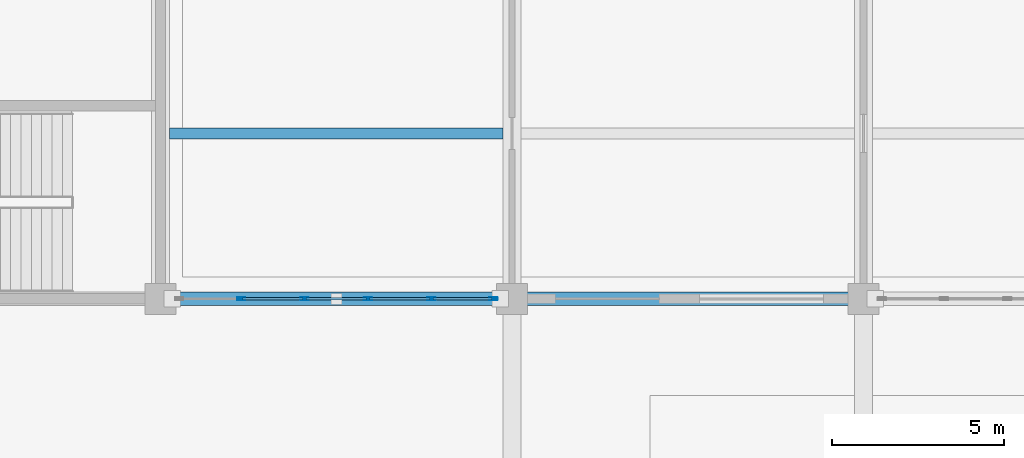
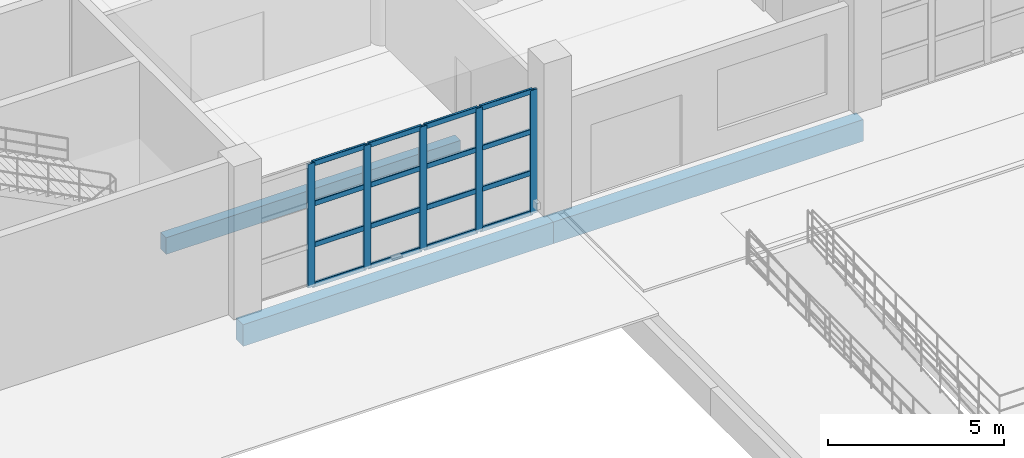
# One storey, part 34 of 124: 21 members, 3 beams, 1 element without a shape of its own.
"""IFC4 building model written with IfcOpenShell, lengths in metres."""

import ifcopenshell
import ifcopenshell.guid

model = None  # the IFC model being written
_history = None  # IfcOwnerHistory: only IFC2X3 demands one
_inside = {}  # id of a spatial element -> (the spatial element, [elements in it])
_under = {}  # id of a project, library or spatial element -> (it, [spatial elements below it])
_declared = {}  # id of a project -> (the project, [libraries it declares])
_typed = {}  # id of a type object -> (the type object, [elements of that type])
_made_of = {}  # id of a material, layer set ... -> (it, [elements and type objects made of it])


def new_model(schema):
    """Start an empty IFC model of exactly this schema.

    Asked for "IFC4X3", IfcOpenShell would pick the latest addendum, in which some entities
    have other attributes; the version numbers below select the first issue.
    IFC2X3 requires an IfcOwnerHistory on every rooted entity: one is made here for all.
    """
    global model, _history
    if schema == "IFC4X3":
        model = ifcopenshell.file(schema_version=(4, 3, 0, 0))
    else:
        model = ifcopenshell.file(schema=schema)
    _inside.clear()
    _under.clear()
    _declared.clear()
    _typed.clear()
    _made_of.clear()
    _history = None
    if model.schema == "IFC2X3":
        org = make("IfcOrganization", Name="unknown")
        user = make(
            "IfcPersonAndOrganization",
            ThePerson=make("IfcPerson", FamilyName="unknown"),
            TheOrganization=org,
        )
        app = make(
            "IfcApplication",
            ApplicationDeveloper=org,
            Version="unknown",
            ApplicationFullName="unknown",
            ApplicationIdentifier="unknown",
        )
        _history = make(
            "IfcOwnerHistory",
            OwningUser=user,
            OwningApplication=app,
            ChangeAction="ADDED",
            CreationDate=0,
        )
    return model


def make(cls, **values):
    """One entity of the class cls with the attributes given. An attribute that is None is left unset."""
    return model.create_entity(
        cls, **{name: value for name, value in values.items() if value is not None}
    )


def rooted(cls, **values):
    """An entity with a GlobalId (a new one), such as an element, a storey or a relation."""
    return make(cls, GlobalId=ifcopenshell.guid.new(), OwnerHistory=_history, **values)


def si_unit(unit_type, name, prefix=None):
    """IfcSIUnit, for example si_unit("LENGTHUNIT", "METRE", prefix="MILLI")."""
    return make("IfcSIUnit", UnitType=unit_type, Prefix=prefix, Name=name)


def assignment(units):
    """IfcUnitAssignment: the units of a project."""
    return None if units is None else make("IfcUnitAssignment", Units=units)


def point(xyz):
    """IfcCartesianPoint."""
    return None if xyz is None else make("IfcCartesianPoint", Coordinates=xyz)


def direction(xyz):
    """IfcDirection."""
    return None if xyz is None else make("IfcDirection", DirectionRatios=xyz)


def frame(location, z_axis=None, x_axis=None):
    """IfcAxis2Placement3D, a coordinate frame: its origin and axes. An axis left out is left unset."""
    return make(
        "IfcAxis2Placement3D",
        Location=point(location),
        Axis=direction(z_axis),
        RefDirection=direction(x_axis),
    )


def frame_2d(location, x_axis=None):
    """IfcAxis2Placement2D, a coordinate frame in the plane: its origin and x axis."""
    return make(
        "IfcAxis2Placement2D", Location=point(location), RefDirection=direction(x_axis)
    )


def origin():
    """The frame at (0, 0, 0) with its axes left unset."""
    return frame((0.0, 0.0, 0.0))


def origin_2d():
    """The frame at (0, 0) in the plane with its x axis left unset."""
    return frame_2d((0.0, 0.0))


def place(relative_to, where):
    """IfcLocalPlacement: puts the frame where relative to a parent placement (None: the world)."""
    return make(
        "IfcLocalPlacement", PlacementRelTo=relative_to, RelativePlacement=where
    )


def context(
    kind, dimensions, precision=None, world=None, true_north=None, identifier=None
):
    """IfcGeometricRepresentationContext, for example the 3D "Model" context."""
    return make(
        "IfcGeometricRepresentationContext",
        ContextIdentifier=identifier,
        ContextType=kind,
        CoordinateSpaceDimension=dimensions,
        Precision=precision,
        WorldCoordinateSystem=world,
        TrueNorth=true_north,
    )


def subcontext(parent, identifier, kind, view, scale=None):
    """IfcGeometricRepresentationSubContext, for example "Body" below "Model"."""
    return make(
        "IfcGeometricRepresentationSubContext",
        ContextIdentifier=identifier,
        ContextType=kind,
        ParentContext=parent,
        TargetScale=scale,
        TargetView=view,
    )


def project(units=None, contexts=None):
    """IfcProject with its units and contexts."""
    return rooted(
        "IfcProject",
        Name="project",
        RepresentationContexts=contexts,
        UnitsInContext=assignment(units),
    )


def spatial(cls, under=None, at=None, **own):
    """A site, building, storey or space (cls), placed at a placement, below another one or the project."""
    s = rooted(cls, ObjectPlacement=at, **own)
    if under is not None:
        _under.setdefault(under.id(), (under, []))[1].append(s)
    return s


def profile(cls, at=None, kind="AREA", **sizes):
    """A parametric profile (cls). Its sizes go by their IFC names, for example OverallWidth=200.0."""
    return make(cls, ProfileType=kind, Position=at, **sizes)


def rectangle(**sizes):
    """IfcRectangleProfileDef."""
    return profile("IfcRectangleProfileDef", **sizes)


def hollow_rectangle(**sizes):
    """IfcRectangleHollowProfileDef."""
    return profile("IfcRectangleHollowProfileDef", **sizes)


def extrude(swept, where, along, depth):
    """IfcExtrudedAreaSolid: the profile swept, set in the frame where, extruded along a direction by depth."""
    return make(
        "IfcExtrudedAreaSolid",
        SweptArea=swept,
        Position=where,
        ExtrudedDirection=direction(along),
        Depth=depth,
    )


def shape(context_of_items, identifier, shape_type, items):
    """IfcShapeRepresentation: the items that make up one representation, for example the "Body"."""
    return make(
        "IfcShapeRepresentation",
        ContextOfItems=context_of_items,
        RepresentationIdentifier=identifier,
        RepresentationType=shape_type,
        Items=items,
    )


def material(Name=None, Category=None):
    """IfcMaterial."""
    return make("IfcMaterial", Name=Name, Category=Category)


def material_profile(
    of_material, cross_section, Name=None, Category=None, Priority=None
):
    """IfcMaterialProfile: a cross section and its material."""
    return make(
        "IfcMaterialProfile",
        Name=Name,
        Material=of_material,
        Profile=cross_section,
        Priority=Priority,
        Category=Category,
    )


def profile_set(profiles, Name=None, composite=None):
    """IfcMaterialProfileSet."""
    return make(
        "IfcMaterialProfileSet",
        Name=Name,
        MaterialProfiles=profiles,
        CompositeProfile=composite,
    )


def made_of(thing, what):
    """Note that an element or type object is made of a material, layer set ...; save() writes the relation."""
    if what is not None:
        _made_of.setdefault(what.id(), (what, []))[1].append(thing)
    return thing


def type_object(cls, material=None, **own):
    """A type object (cls), such as IfcWallType, which elements share."""
    return made_of(rooted(cls, **own), material)


def element(
    cls,
    number,
    at=None,
    inside=None,
    cuts=None,
    type_object=None,
    material=None,
    context=None,
    identifier="Body",
    shape_type=None,
    held_by="IfcProductDefinitionShape",
    body=None,
    shapes=None,
    **own,
):
    """One element of the class cls, such as IfcWall. Its Tag is "e" and its number.

    at: its placement. inside: the storey or other place that contains it. cuts: it is an
    opening in that element (IfcRelVoidsElement). A single representation is given by context,
    identifier, shape_type and body (its items); several are given by shapes. held_by: the class
    of the entity that holds the representations. save() writes the other relations.
    """
    e = rooted(cls, Tag="e%d" % number, ObjectPlacement=at, **own)
    if body is not None:
        shapes = [shape(context, identifier, shape_type, body)]
    if shapes is not None:
        e.Representation = make(held_by, Representations=shapes)
    if inside is not None:
        _inside.setdefault(inside.id(), (inside, []))[1].append(e)
    if cuts is not None:
        rooted(
            "IfcRelVoidsElement", RelatingBuildingElement=cuts, RelatedOpeningElement=e
        )
    if type_object is not None:
        _typed.setdefault(type_object.id(), (type_object, []))[1].append(e)
    return made_of(e, material)


def aggregate(whole, parts):
    """IfcRelAggregates: a whole, such as a stair, and the parts it consists of."""
    return rooted("IfcRelAggregates", RelatingObject=whole, RelatedObjects=parts)


def save(model, path):
    """Write the relations noted so far, then the file.

    IfcRelAggregates (storeys below a building ...), IfcRelContainedInSpatialStructure (elements
    in a storey), IfcRelDefinesByType, IfcRelAssociatesMaterial and IfcRelDeclares: one each for
    every whole, place, type object, material and project.
    """
    for whole, parts in _under.values():
        aggregate(whole, parts)
    for where, things in _inside.values():
        rooted(
            "IfcRelContainedInSpatialStructure",
            RelatedElements=things,
            RelatingStructure=where,
        )
    for kind, things in _typed.values():
        rooted("IfcRelDefinesByType", RelatedObjects=things, RelatingType=kind)
    for what, things in _made_of.values():
        rooted("IfcRelAssociatesMaterial", RelatedObjects=things, RelatingMaterial=what)
    for by, libraries in _declared.values():
        rooted("IfcRelDeclares", RelatingContext=by, RelatedDefinitions=libraries)
    model.write(path)


model = new_model("IFC4")

# Units and contexts
model_context = context("Model", 3, precision=1e-05, world=origin(), true_north=direction((0.0, 1.0)))
body_context = subcontext(model_context, "Body", "Model", "MODEL_VIEW")
ifc_project = project(units=[si_unit("LENGTHUNIT", "METRE"), si_unit("AREAUNIT", "SQUARE_METRE"), si_unit("VOLUMEUNIT", "CUBIC_METRE"), si_unit("PLANEANGLEUNIT", "RADIAN"), si_unit("MASSUNIT", "GRAM", prefix="KILO")], contexts=[model_context])

# Site, building, storey
site_placement = place(None, origin())
site = spatial("IfcSite", under=ifc_project, at=site_placement, CompositionType="ELEMENT")
building_placement = place(site_placement, origin())
building = spatial("IfcBuilding", under=site, at=building_placement, Name="Brelvane Convention Centre", CompositionType="ELEMENT")
storey_placement = place(building_placement, origin())
storey = spatial("IfcBuildingStorey", under=building, at=storey_placement, Name="L00", CompositionType="ELEMENT", Elevation=0.0)

# Curtain wall, members
ifc_material_1 = material(Name="Anodised Aluminium Alloy 6063-T6", Category="aluminium")
curtain_wall_type = type_object("IfcCurtainWallType", Name="Curtain Wall CW-CONC", PredefinedType="USERDEFINED", material=ifc_material_1)
curtain_wall_placement = place(storey_placement, origin())
curtain_wall = element("IfcCurtainWall", 1, at=curtain_wall_placement, inside=storey, type_object=curtain_wall_type, Name="Curtain Wall CW-CONC L00-V1S-10", ObjectType="UNITISED", PredefinedType="USERDEFINED")
ifc_material_2 = material(Name="Anodised Aluminium Alloy 6063-T6", Category="aluminium")
ifc_material_profile_1 = material_profile(ifc_material_2, hollow_rectangle(XDim=0.080078125, YDim=0.239990234375, WallThickness=0.006103515625, InnerFilletRadius=0.006103515625, OuterFilletRadius=0.011962890625, at=origin_2d()), Name="ALU-M 240x80x6.0")
ifc_profile_set_1 = profile_set([ifc_material_profile_1], Name="Anodised Aluminium Alloy 6063-T6")
member_type_1 = type_object("IfcMemberType", Name="Curtain Mullion CW-M1", PredefinedType="MULLION", material=ifc_profile_set_1)
member_1_placement = place(storey_placement, frame((94.139892578125, 19.199951171875, 0.0), z_axis=(0.0, 0.0, 1.0), x_axis=(0.0, 1.0, 0.0)))
member_1 = element("IfcMember", 2, at=member_1_placement, type_object=member_type_1, Name="CW-CONC mullion 2", PredefinedType="MULLION", context=body_context, shape_type="SweptSolid", body=[
    extrude(hollow_rectangle(XDim=0.080078125, YDim=0.239990234375, WallThickness=0.006103515625, InnerFilletRadius=0.006103515625, OuterFilletRadius=0.011962890625, at=origin_2d()), origin(), (0.0, 0.0, 1.0), 4.300048828125),
])
member_2_placement = place(storey_placement, frame((95.97998046875, 19.199951171875, 0.0), z_axis=(0.0, 0.0, 1.0), x_axis=(0.0, 1.0, 0.0)))
member_2 = element("IfcMember", 3, at=member_2_placement, type_object=member_type_1, Name="CW-CONC mullion 3", PredefinedType="MULLION", context=body_context, shape_type="SweptSolid", body=[
    extrude(hollow_rectangle(XDim=0.080078125, YDim=0.239990234375, WallThickness=0.006103515625, InnerFilletRadius=0.006103515625, OuterFilletRadius=0.011962890625, at=origin_2d()), origin(), (0.0, 0.0, 1.0), 4.300048828125),
])
member_3_placement = place(storey_placement, frame((97.820068359375, 19.199951171875, 0.0), z_axis=(0.0, 0.0, 1.0), x_axis=(0.0, 1.0, 0.0)))
member_3 = element("IfcMember", 4, at=member_3_placement, type_object=member_type_1, Name="CW-CONC mullion 4", PredefinedType="MULLION", context=body_context, shape_type="SweptSolid", body=[
    extrude(hollow_rectangle(XDim=0.080078125, YDim=0.239990234375, WallThickness=0.006103515625, InnerFilletRadius=0.006103515625, OuterFilletRadius=0.011962890625, at=origin_2d()), origin(), (0.0, 0.0, 1.0), 4.300048828125),
])
member_4_placement = place(storey_placement, frame((99.659912109375, 19.199951171875, 0.0), z_axis=(0.0, 0.0, 1.0), x_axis=(0.0, 1.0, 0.0)))
member_4 = element("IfcMember", 5, at=member_4_placement, type_object=member_type_1, Name="CW-CONC mullion 5", PredefinedType="MULLION", context=body_context, shape_type="SweptSolid", body=[
    extrude(hollow_rectangle(XDim=0.080078125, YDim=0.239990234375, WallThickness=0.006103515625, InnerFilletRadius=0.006103515625, OuterFilletRadius=0.011962890625, at=origin_2d()), origin(), (0.0, 0.0, 1.0), 4.300048828125),
])
member_5_placement = place(storey_placement, frame((101.4599609375, 19.199951171875, 0.0), z_axis=(0.0, 0.0, 1.0), x_axis=(0.0, 1.0, 0.0)))
member_5 = element("IfcMember", 6, at=member_5_placement, type_object=member_type_1, Name="CW-CONC mullion 6", PredefinedType="MULLION", context=body_context, shape_type="SweptSolid", body=[
    extrude(hollow_rectangle(XDim=0.080078125, YDim=0.239990234375, WallThickness=0.006103515625, InnerFilletRadius=0.006103515625, OuterFilletRadius=0.011962890625, at=origin_2d()), origin(), (0.0, 0.0, 1.0), 4.300048828125),
])
ifc_material_3 = material(Name="Anodised Aluminium Alloy 6063-T6", Category="aluminium")
ifc_material_profile_2 = material_profile(ifc_material_3, hollow_rectangle(XDim=0.080078125, YDim=0.179931640625, WallThickness=0.0048828125, InnerFilletRadius=0.0048828125, OuterFilletRadius=0.010009765625, at=origin_2d()), Name="ALU-T 180x80x5.0")
ifc_profile_set_2 = profile_set([ifc_material_profile_2], Name="Anodised Aluminium Alloy 6063-T6")
member_type_2 = type_object("IfcMemberType", Name="Curtain Transom CW-T1", PredefinedType="USERDEFINED", material=ifc_profile_set_2)
member_6_placement = place(storey_placement, frame((94.179931640625, 19.199951171875, 0.0400390625), z_axis=(1.0, 0.0, 0.0), x_axis=(0.0, 1.0, 0.0)))
member_6 = element("IfcMember", 7, at=member_6_placement, type_object=member_type_2, Name="CW-CONC transom 2.1", ObjectType="TRANSOM", PredefinedType="USERDEFINED", context=body_context, shape_type="SweptSolid", body=[
    extrude(hollow_rectangle(XDim=0.080078125, YDim=0.179931640625, WallThickness=0.0048828125, InnerFilletRadius=0.0048828125, OuterFilletRadius=0.010009765625, at=origin_2d()), origin(), (0.0, 0.0, 1.0), 1.760009765625),
])
member_7_placement = place(storey_placement, frame((94.179931640625, 19.199951171875, 1.433349609375), z_axis=(1.0, 0.0, 0.0), x_axis=(0.0, 1.0, 0.0)))
member_7 = element("IfcMember", 8, at=member_7_placement, type_object=member_type_2, Name="CW-CONC transom 2.2", ObjectType="TRANSOM", PredefinedType="USERDEFINED", context=body_context, shape_type="SweptSolid", body=[
    extrude(hollow_rectangle(XDim=0.080078125, YDim=0.179931640625, WallThickness=0.0048828125, InnerFilletRadius=0.0048828125, OuterFilletRadius=0.010009765625, at=origin_2d()), origin(), (0.0, 0.0, 1.0), 1.760009765625),
])
member_8_placement = place(storey_placement, frame((94.179931640625, 19.199951171875, 2.86669921875), z_axis=(1.0, 0.0, 0.0), x_axis=(0.0, 1.0, 0.0)))
member_8 = element("IfcMember", 9, at=member_8_placement, type_object=member_type_2, Name="CW-CONC transom 2.3", ObjectType="TRANSOM", PredefinedType="USERDEFINED", context=body_context, shape_type="SweptSolid", body=[
    extrude(hollow_rectangle(XDim=0.080078125, YDim=0.179931640625, WallThickness=0.0048828125, InnerFilletRadius=0.0048828125, OuterFilletRadius=0.010009765625, at=origin_2d()), origin(), (0.0, 0.0, 1.0), 1.760009765625),
])
member_9_placement = place(storey_placement, frame((94.179931640625, 19.199951171875, 4.260009765625), z_axis=(1.0, 0.0, 0.0), x_axis=(0.0, 1.0, 0.0)))
member_9 = element("IfcMember", 10, at=member_9_placement, type_object=member_type_2, Name="CW-CONC transom 2.4", ObjectType="TRANSOM", PredefinedType="USERDEFINED", context=body_context, shape_type="SweptSolid", body=[
    extrude(hollow_rectangle(XDim=0.080078125, YDim=0.179931640625, WallThickness=0.0048828125, InnerFilletRadius=0.0048828125, OuterFilletRadius=0.010009765625, at=origin_2d()), origin(), (0.0, 0.0, 1.0), 1.760009765625),
])
member_10_placement = place(storey_placement, frame((96.02001953125, 19.199951171875, 0.0400390625), z_axis=(1.0, 0.0, 0.0), x_axis=(0.0, 1.0, 0.0)))
member_10 = element("IfcMember", 11, at=member_10_placement, type_object=member_type_2, Name="CW-CONC transom 3.1", ObjectType="TRANSOM", PredefinedType="USERDEFINED", context=body_context, shape_type="SweptSolid", body=[
    extrude(hollow_rectangle(XDim=0.080078125, YDim=0.179931640625, WallThickness=0.0048828125, InnerFilletRadius=0.0048828125, OuterFilletRadius=0.010009765625, at=origin_2d()), origin(), (0.0, 0.0, 1.0), 1.760009765625),
])
member_11_placement = place(storey_placement, frame((96.02001953125, 19.199951171875, 1.433349609375), z_axis=(1.0, 0.0, 0.0), x_axis=(0.0, 1.0, 0.0)))
member_11 = element("IfcMember", 12, at=member_11_placement, type_object=member_type_2, Name="CW-CONC transom 3.2", ObjectType="TRANSOM", PredefinedType="USERDEFINED", context=body_context, shape_type="SweptSolid", body=[
    extrude(hollow_rectangle(XDim=0.080078125, YDim=0.179931640625, WallThickness=0.0048828125, InnerFilletRadius=0.0048828125, OuterFilletRadius=0.010009765625, at=origin_2d()), origin(), (0.0, 0.0, 1.0), 1.760009765625),
])
member_12_placement = place(storey_placement, frame((96.02001953125, 19.199951171875, 2.86669921875), z_axis=(1.0, 0.0, 0.0), x_axis=(0.0, 1.0, 0.0)))
member_12 = element("IfcMember", 13, at=member_12_placement, type_object=member_type_2, Name="CW-CONC transom 3.3", ObjectType="TRANSOM", PredefinedType="USERDEFINED", context=body_context, shape_type="SweptSolid", body=[
    extrude(hollow_rectangle(XDim=0.080078125, YDim=0.179931640625, WallThickness=0.0048828125, InnerFilletRadius=0.0048828125, OuterFilletRadius=0.010009765625, at=origin_2d()), origin(), (0.0, 0.0, 1.0), 1.760009765625),
])
member_13_placement = place(storey_placement, frame((96.02001953125, 19.199951171875, 4.260009765625), z_axis=(1.0, 0.0, 0.0), x_axis=(0.0, 1.0, 0.0)))
member_13 = element("IfcMember", 14, at=member_13_placement, type_object=member_type_2, Name="CW-CONC transom 3.4", ObjectType="TRANSOM", PredefinedType="USERDEFINED", context=body_context, shape_type="SweptSolid", body=[
    extrude(hollow_rectangle(XDim=0.080078125, YDim=0.179931640625, WallThickness=0.0048828125, InnerFilletRadius=0.0048828125, OuterFilletRadius=0.010009765625, at=origin_2d()), origin(), (0.0, 0.0, 1.0), 1.760009765625),
])
member_14_placement = place(storey_placement, frame((97.860107421875, 19.199951171875, 0.0400390625), z_axis=(1.0, 0.0, 0.0), x_axis=(0.0, 1.0, 0.0)))
member_14 = element("IfcMember", 15, at=member_14_placement, type_object=member_type_2, Name="CW-CONC transom 4.1", ObjectType="TRANSOM", PredefinedType="USERDEFINED", context=body_context, shape_type="SweptSolid", body=[
    extrude(hollow_rectangle(XDim=0.080078125, YDim=0.179931640625, WallThickness=0.0048828125, InnerFilletRadius=0.0048828125, OuterFilletRadius=0.010009765625, at=origin_2d()), origin(), (0.0, 0.0, 1.0), 1.760009765625),
])
member_15_placement = place(storey_placement, frame((97.860107421875, 19.199951171875, 1.433349609375), z_axis=(1.0, 0.0, 0.0), x_axis=(0.0, 1.0, 0.0)))
member_15 = element("IfcMember", 16, at=member_15_placement, type_object=member_type_2, Name="CW-CONC transom 4.2", ObjectType="TRANSOM", PredefinedType="USERDEFINED", context=body_context, shape_type="SweptSolid", body=[
    extrude(hollow_rectangle(XDim=0.080078125, YDim=0.179931640625, WallThickness=0.0048828125, InnerFilletRadius=0.0048828125, OuterFilletRadius=0.010009765625, at=origin_2d()), origin(), (0.0, 0.0, 1.0), 1.760009765625),
])
member_16_placement = place(storey_placement, frame((97.860107421875, 19.199951171875, 2.86669921875), z_axis=(1.0, 0.0, 0.0), x_axis=(0.0, 1.0, 0.0)))
member_16 = element("IfcMember", 17, at=member_16_placement, type_object=member_type_2, Name="CW-CONC transom 4.3", ObjectType="TRANSOM", PredefinedType="USERDEFINED", context=body_context, shape_type="SweptSolid", body=[
    extrude(hollow_rectangle(XDim=0.080078125, YDim=0.179931640625, WallThickness=0.0048828125, InnerFilletRadius=0.0048828125, OuterFilletRadius=0.010009765625, at=origin_2d()), origin(), (0.0, 0.0, 1.0), 1.760009765625),
])
member_17_placement = place(storey_placement, frame((97.860107421875, 19.199951171875, 4.260009765625), z_axis=(1.0, 0.0, 0.0), x_axis=(0.0, 1.0, 0.0)))
member_17 = element("IfcMember", 18, at=member_17_placement, type_object=member_type_2, Name="CW-CONC transom 4.4", ObjectType="TRANSOM", PredefinedType="USERDEFINED", context=body_context, shape_type="SweptSolid", body=[
    extrude(hollow_rectangle(XDim=0.080078125, YDim=0.179931640625, WallThickness=0.0048828125, InnerFilletRadius=0.0048828125, OuterFilletRadius=0.010009765625, at=origin_2d()), origin(), (0.0, 0.0, 1.0), 1.760009765625),
])
member_18_placement = place(storey_placement, frame((99.699951171875, 19.199951171875, 0.0400390625), z_axis=(1.0, 0.0, 0.0), x_axis=(0.0, 1.0, 0.0)))
member_18 = element("IfcMember", 19, at=member_18_placement, type_object=member_type_2, Name="CW-CONC transom 5.1", ObjectType="TRANSOM", PredefinedType="USERDEFINED", context=body_context, shape_type="SweptSolid", body=[
    extrude(hollow_rectangle(XDim=0.080078125, YDim=0.179931640625, WallThickness=0.0048828125, InnerFilletRadius=0.0048828125, OuterFilletRadius=0.010009765625, at=origin_2d()), origin(), (0.0, 0.0, 1.0), 1.719970703125),
])
member_19_placement = place(storey_placement, frame((99.699951171875, 19.199951171875, 1.433349609375), z_axis=(1.0, 0.0, 0.0), x_axis=(0.0, 1.0, 0.0)))
member_19 = element("IfcMember", 20, at=member_19_placement, type_object=member_type_2, Name="CW-CONC transom 5.2", ObjectType="TRANSOM", PredefinedType="USERDEFINED", context=body_context, shape_type="SweptSolid", body=[
    extrude(hollow_rectangle(XDim=0.080078125, YDim=0.179931640625, WallThickness=0.0048828125, InnerFilletRadius=0.0048828125, OuterFilletRadius=0.010009765625, at=origin_2d()), origin(), (0.0, 0.0, 1.0), 1.719970703125),
])
member_20_placement = place(storey_placement, frame((99.699951171875, 19.199951171875, 2.86669921875), z_axis=(1.0, 0.0, 0.0), x_axis=(0.0, 1.0, 0.0)))
member_20 = element("IfcMember", 21, at=member_20_placement, type_object=member_type_2, Name="CW-CONC transom 5.3", ObjectType="TRANSOM", PredefinedType="USERDEFINED", context=body_context, shape_type="SweptSolid", body=[
    extrude(hollow_rectangle(XDim=0.080078125, YDim=0.179931640625, WallThickness=0.0048828125, InnerFilletRadius=0.0048828125, OuterFilletRadius=0.010009765625, at=origin_2d()), origin(), (0.0, 0.0, 1.0), 1.719970703125),
])
member_21_placement = place(storey_placement, frame((99.699951171875, 19.199951171875, 4.260009765625), z_axis=(1.0, 0.0, 0.0), x_axis=(0.0, 1.0, 0.0)))
member_21 = element("IfcMember", 22, at=member_21_placement, type_object=member_type_2, Name="CW-CONC transom 5.4", ObjectType="TRANSOM", PredefinedType="USERDEFINED", context=body_context, shape_type="SweptSolid", body=[
    extrude(hollow_rectangle(XDim=0.080078125, YDim=0.179931640625, WallThickness=0.0048828125, InnerFilletRadius=0.0048828125, OuterFilletRadius=0.010009765625, at=origin_2d()), origin(), (0.0, 0.0, 1.0), 1.719970703125),
])
aggregate(curtain_wall, [member_1, member_2, member_3, member_4, member_5, member_6, member_7, member_8, member_9, member_10, member_11, member_12, member_13, member_14, member_15, member_16, member_17, member_18, member_19, member_20, member_21])

# Beams
ifc_material_4 = material(Name="Concrete M40", Category="concrete")
ifc_material_profile_3 = material_profile(ifc_material_4, rectangle(XDim=0.320068359375, YDim=0.580078125, at=origin_2d()), Name="RC 320x580")
ifc_profile_set_3 = profile_set([ifc_material_profile_3], Name="Concrete M40")
beam_type_1 = type_object("IfcBeamType", Name="RC Joist J-RC3 (RC 320x580)", PredefinedType="JOIST", material=ifc_profile_set_3)
beam_placement = place(storey_placement, frame((92.06005859375, 24.0, -0.68994140625), z_axis=(1.0, 0.0, 0.0), x_axis=(0.0, 1.0, 0.0)))
element("IfcBeam", 23, at=beam_placement, inside=storey, type_object=beam_type_1, Name="L00 Secondary Joist 10-11/CD", PredefinedType="JOIST", context=body_context, shape_type="SweptSolid", body=[
    extrude(rectangle(XDim=0.320068359375, YDim=0.580078125, at=origin_2d()), origin(), (0.0, 0.0, 1.0), 9.679931640625),
])
ifc_material_5 = material(Name="Concrete M40", Category="concrete")
ifc_material_profile_4 = material_profile(ifc_material_5, rectangle(XDim=0.39990234375, YDim=0.75, at=origin_2d()), Name="RC 400x750")
ifc_profile_set_4 = profile_set([ifc_material_profile_4], Name="Concrete M40")
beam_type_2 = type_object("IfcBeamType", Name="RC Spandrel SP-RC1 (RC 400x750)", PredefinedType="SPANDREL", material=ifc_profile_set_4)
for number, where, z_axis, x_axis, name in (
    (24, (91.800048828125, 19.199951171875, -0.77490234375), (1.0, 0.0, 0.0), (0.0, 1.0, 0.0), "L00 Beam 10-11/C"),
    (25, (102.0, 19.199951171875, -0.77490234375), (1.0, 0.0, 0.0), (0.0, 1.0, 0.0), "L00 Beam 11-12/C"),
):
    element("IfcBeam", number, at=place(storey_placement, frame(where, z_axis=z_axis, x_axis=x_axis)), inside=storey, type_object=beam_type_2, Name=name, PredefinedType="SPANDREL", context=body_context, shape_type="SweptSolid", body=[
        extrude(rectangle(XDim=0.39990234375, YDim=0.75, at=origin_2d()), origin(), (0.0, 0.0, 1.0), 10.199951171875),
    ])

save(model, "model.ifc")
